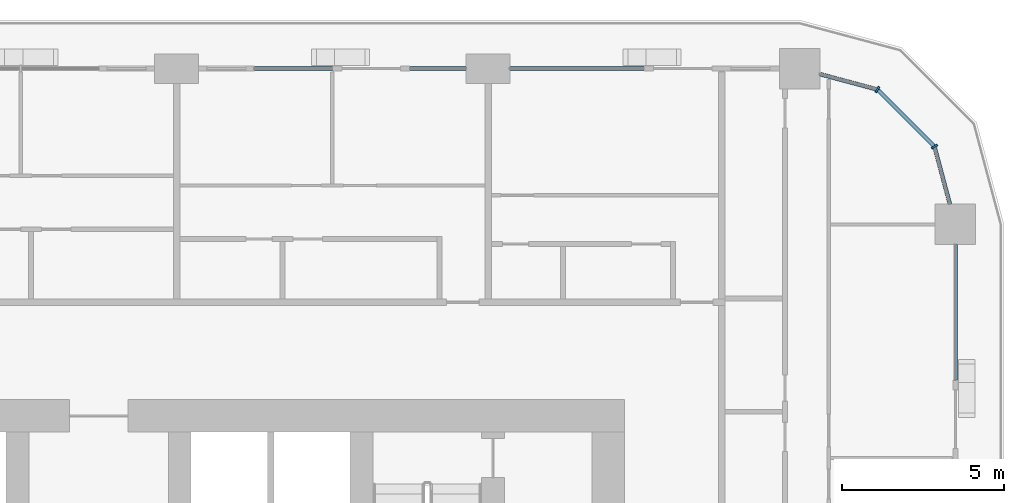
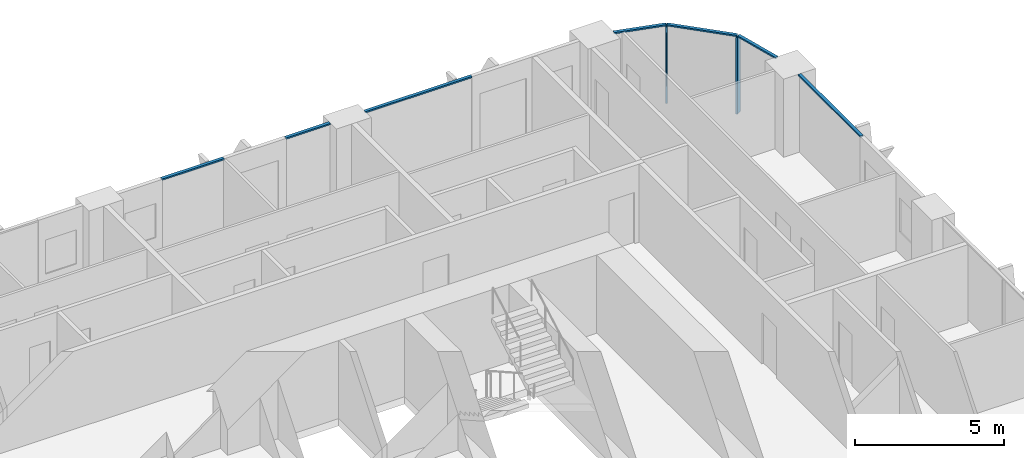
# One storey, part 6 of 21: 9 members, 4 elements without a shape of their own.
"""IFC4 building model written with IfcOpenShell, lengths in metres."""

from ifc_helpers import new_model, si_unit, direction, frame, origin, origin_2d, place, context, subcontext, project, spatial, rectangle, extrude, material, layer, layer_set, material_profile, profile_set, type_object, element, aggregate, save


model = new_model("IFC4")

# Units and contexts
model_context = context("Model", 3, precision=1e-05, world=origin(), true_north=direction((0.0, 1.0)))
body_context = subcontext(model_context, "Body", "Model", "MODEL_VIEW")
ifc_project = project(units=[si_unit("LENGTHUNIT", "METRE"), si_unit("AREAUNIT", "SQUARE_METRE"), si_unit("VOLUMEUNIT", "CUBIC_METRE"), si_unit("PLANEANGLEUNIT", "RADIAN"), si_unit("MASSUNIT", "GRAM", prefix="KILO")], contexts=[model_context])

# Site, building, storey
site_placement = place(None, origin())
site = spatial("IfcSite", under=ifc_project, at=site_placement, CompositionType="ELEMENT")
building_placement = place(site_placement, origin())
building = spatial("IfcBuilding", under=site, at=building_placement, Name="Madar Terraces", CompositionType="ELEMENT")
storey_placement = place(building_placement, frame((0.0, 0.0, 29.39990234375)))
storey = spatial("IfcBuildingStorey", under=building, at=storey_placement, Name="L06", CompositionType="ELEMENT", Elevation=29.39990234375)

# Curtain wall, members
ifc_material_1 = material(Name="Glass, ceramic frit dark grey, with black aluminium frame", Category="aluminium")
ifc_layer = layer(ifc_material_1, 0.199951171875)
ifc_layer_set = layer_set([ifc_layer], Name="Facade curtain wall, fritted glass")
curtain_wall_type = type_object("IfcCurtainWallType", Name="Facade curtain wall, fritted glass", PredefinedType="NOTDEFINED", material=ifc_layer_set)
curtain_wall_1_placement = place(storey_placement, origin())
curtain_wall_1 = element("IfcCurtainWall", 1, at=curtain_wall_1_placement, inside=storey, type_object=curtain_wall_type, Name="Outer skin curtain wall north-east corner", PredefinedType="NOTDEFINED")
ifc_material_2 = material(Name="Aluminium, black anodised", Category="aluminium")
ifc_material_profile_1 = material_profile(ifc_material_2, rectangle(XDim=0.199951171875, YDim=0.06005859375, at=origin_2d()), Name="Facade mullion 60x200")
ifc_profile_set_1 = profile_set([ifc_material_profile_1], Name="Aluminium, black anodised")
member_type_1 = type_object("IfcMemberType", Name="Facade mullion 60x200", PredefinedType="MULLION", material=ifc_profile_set_1)
member_1_placement = place(storey_placement, frame((56.95703125, 45.60009765625, 0.0), z_axis=(0.0, 0.0, 1.0), x_axis=(-0.866025409797, -0.499999989586, 0.0)))
member_1 = element("IfcMember", 2, at=member_1_placement, type_object=member_type_1, Name="Mullion 1", PredefinedType="MULLION", context=body_context, shape_type="SweptSolid", body=[
    extrude(rectangle(XDim=0.199951171875, YDim=0.06005859375, at=origin_2d()), origin(), (0.0, 0.0, 1.0), 3.14013671875),
])
member_2_placement = place(storey_placement, frame((55.199951171875, 47.35693359375, 0.0), z_axis=(0.0, 0.0, 1.0), x_axis=(-0.499999989586, -0.866025409797, 0.0)))
member_2 = element("IfcMember", 3, at=member_2_placement, type_object=member_type_1, Name="Mullion 2", PredefinedType="MULLION", context=body_context, shape_type="SweptSolid", body=[
    extrude(rectangle(XDim=0.199951171875, YDim=0.06005859375, at=origin_2d()), origin(), (0.0, 0.0, 1.0), 3.14013671875),
])

# Curtain wall, member
curtain_wall_2_placement = place(storey_placement, origin())
curtain_wall_2 = element("IfcCurtainWall", 4, at=curtain_wall_2_placement, inside=storey, type_object=curtain_wall_type, Name="Outer skin curtain wall east bay 4", PredefinedType="NOTDEFINED")
ifc_material_3 = material(Name="Aluminium, black anodised", Category="aluminium")
ifc_material_profile_2 = material_profile(ifc_material_3, rectangle(XDim=0.1201171875, YDim=0.06005859375, at=origin_2d()), Name="Facade transom 60x120")
ifc_profile_set_2 = profile_set([ifc_material_profile_2], Name="Aluminium, black anodised")
member_type_2 = type_object("IfcMemberType", Name="Facade transom 60x120", PredefinedType="USERDEFINED", material=ifc_profile_set_2)
member_3_placement = place(storey_placement, frame((57.60009765625, 38.39990234375, 3.170166015625), z_axis=(0.0, 1.0, 0.0), x_axis=(-1.0, 0.0, 0.0)))
member_3 = element("IfcMember", 5, at=member_3_placement, type_object=member_type_2, Name="Transom 1", ObjectType="TRANSOM", PredefinedType="USERDEFINED", context=body_context, shape_type="SweptSolid", body=[
    extrude(rectangle(XDim=0.1201171875, YDim=0.06005859375, at=origin_2d()), origin(), (0.0, 0.0, 1.0), 4.175048828125),
])
aggregate(curtain_wall_2, [member_3])

curtain_wall_3_placement = place(storey_placement, origin())
curtain_wall_3 = element("IfcCurtainWall", 6, at=curtain_wall_3_placement, inside=storey, type_object=curtain_wall_type, Name="Outer skin curtain wall north bay 1", PredefinedType="NOTDEFINED")
member_4_placement = place(storey_placement, frame((48.0, 48.0, 3.170166015625), z_axis=(-1.0, 0.0, 0.0), x_axis=(0.0, -1.0, 0.0)))
member_4 = element("IfcMember", 7, at=member_4_placement, type_object=member_type_2, Name="Transom 1", ObjectType="TRANSOM", PredefinedType="USERDEFINED", context=body_context, shape_type="SweptSolid", body=[
    extrude(rectangle(XDim=0.1201171875, YDim=0.06005859375, at=origin_2d()), origin(), (0.0, 0.0, 1.0), 4.125),
])
aggregate(curtain_wall_3, [member_4])

# Curtain wall, members
curtain_wall_4_placement = place(storey_placement, origin())
curtain_wall_4 = element("IfcCurtainWall", 8, at=curtain_wall_4_placement, inside=storey, type_object=curtain_wall_type, Name="Outer skin curtain wall north bay 2", PredefinedType="NOTDEFINED")
member_5_placement = place(storey_placement, frame((42.52490234375, 48.0, 3.170166015625), z_axis=(-1.0, 0.0, 0.0), x_axis=(0.0, -1.0, 0.0)))
member_5 = element("IfcMember", 9, at=member_5_placement, type_object=member_type_2, Name="Transom 1", ObjectType="TRANSOM", PredefinedType="USERDEFINED", context=body_context, shape_type="SweptSolid", body=[
    extrude(rectangle(XDim=0.1201171875, YDim=0.06005859375, at=origin_2d()), origin(), (0.0, 0.0, 1.0), 1.724853515625),
])
member_6_placement = place(storey_placement, frame((38.39990234375, 48.0, 3.170166015625), z_axis=(-1.0, 0.0, 0.0), x_axis=(0.0, -1.0, 0.0)))
member_6 = element("IfcMember", 10, at=member_6_placement, type_object=member_type_2, Name="Transom 2", ObjectType="TRANSOM", PredefinedType="USERDEFINED", context=body_context, shape_type="SweptSolid", body=[
    extrude(rectangle(XDim=0.1201171875, YDim=0.06005859375, at=origin_2d()), origin(), (0.0, 0.0, 1.0), 2.39990234375),
])
aggregate(curtain_wall_4, [member_5, member_6])

# Member
member_7_placement = place(storey_placement, frame((57.4326171875, 43.824951171875, 3.170166015625), z_axis=(-0.258898097903, 0.965904640688, 0.0), x_axis=(-0.965904640688, -0.258898097903, 0.0)))
member_7 = element("IfcMember", 11, at=member_7_placement, type_object=member_type_2, Name="Transom 1", ObjectType="TRANSOM", PredefinedType="USERDEFINED", context=body_context, shape_type="SweptSolid", body=[
    extrude(rectangle(XDim=0.1201171875, YDim=0.06005859375, at=origin_2d()), origin(), (0.0, 0.0, 1.0), 1.8076171875),
])

member_8_placement = place(storey_placement, frame((56.935791015625, 45.62109375, 3.170166015625), z_axis=(-0.707106781187, 0.707106781187, 0.0), x_axis=(-0.707106781187, -0.707106781187, 0.0)))
member_8 = element("IfcMember", 12, at=member_8_placement, type_object=member_type_2, Name="Transom 2", ObjectType="TRANSOM", PredefinedType="USERDEFINED", context=body_context, shape_type="SweptSolid", body=[
    extrude(rectangle(XDim=0.1201171875, YDim=0.06005859375, at=origin_2d()), origin(), (0.0, 0.0, 1.0), 2.4248046875),
])

member_9_placement = place(storey_placement, frame((55.171142578125, 47.36474609375, 3.170166015625), z_axis=(-0.965938406667, 0.258772089929, 0.0), x_axis=(-0.258772089929, -0.965938406667, 0.0)))
member_9 = element("IfcMember", 13, at=member_9_placement, type_object=member_type_2, Name="Transom 3", ObjectType="TRANSOM", PredefinedType="USERDEFINED", context=body_context, shape_type="SweptSolid", body=[
    extrude(rectangle(XDim=0.1201171875, YDim=0.06005859375, at=origin_2d()), origin(), (0.0, 0.0, 1.0), 1.8076171875),
])

aggregate(curtain_wall_1, [member_1, member_7, member_2, member_8, member_9])

save(model, "model.ifc")
